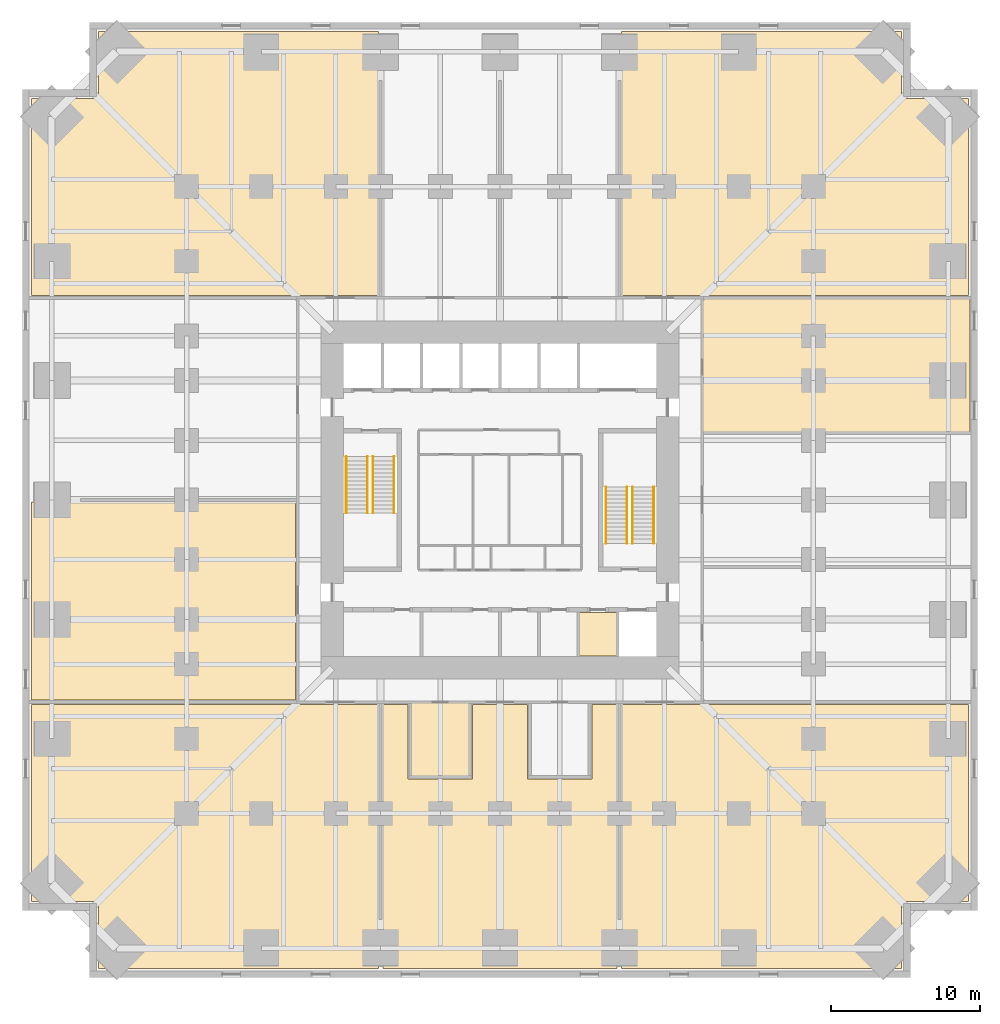
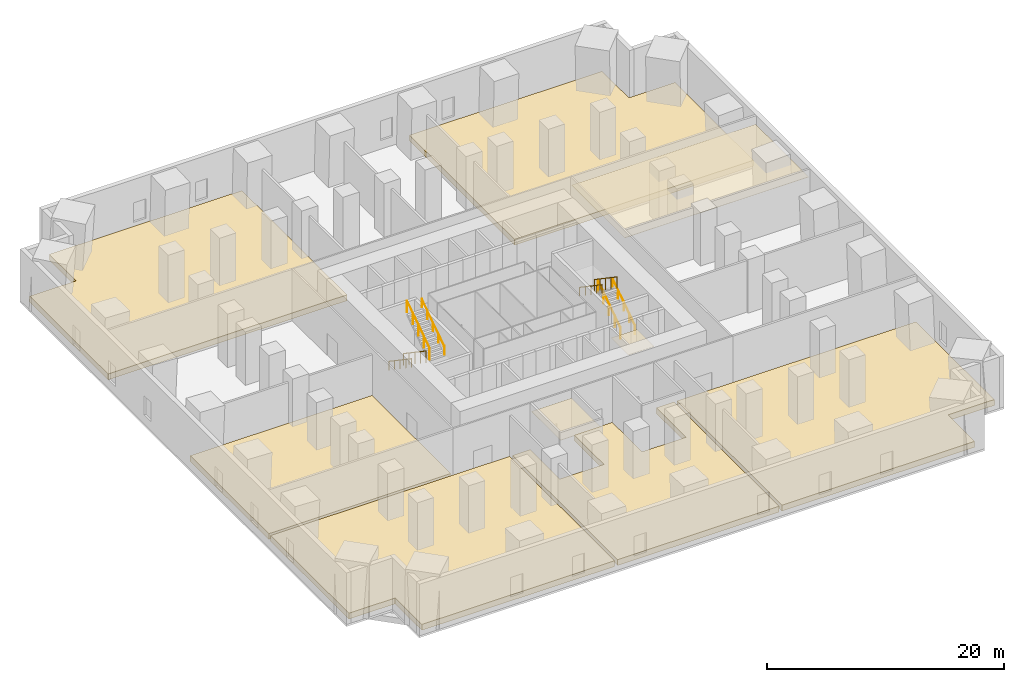
# One storey, part 8 of 8: 9 coverings, 8 railings.
"""IFC4 building model written with IfcOpenShell, lengths in metres."""

from ifc_helpers import new_model, si_unit, direction, frame, origin, origin_2d, place, context, subcontext, project, spatial, polyline, circle, outline, extrude, material, layer, layer_set, type_object, element, save


model = new_model("IFC4")

# Units and contexts
model_context = context("Model", 3, precision=1e-05, world=origin(), true_north=direction((0.0, 1.0)))
body_context = subcontext(model_context, "Body", "Model", "MODEL_VIEW")
ifc_project = project(units=[si_unit("LENGTHUNIT", "METRE"), si_unit("AREAUNIT", "SQUARE_METRE"), si_unit("VOLUMEUNIT", "CUBIC_METRE"), si_unit("PLANEANGLEUNIT", "RADIAN"), si_unit("MASSUNIT", "GRAM", prefix="KILO")], contexts=[model_context])

# Site, building, storey
site_placement = place(None, origin())
site = spatial("IfcSite", under=ifc_project, at=site_placement, CompositionType="ELEMENT")
building_placement = place(site_placement, origin())
building = spatial("IfcBuilding", under=site, at=building_placement, Name="Peilmerk Tower", CompositionType="ELEMENT")
storey_placement = place(building_placement, frame((0.0, 0.0, 21.0)))
storey = spatial("IfcBuildingStorey", under=building, at=storey_placement, Name="L04", CompositionType="ELEMENT", Elevation=21.0)

# Coverings
ifc_material_1 = material(Name="Mineral fibre ceiling tiles", Category="mineral")
ifc_layer_1 = layer(ifc_material_1, 0.02490234375)
ifc_layer_set_1 = layer_set([ifc_layer_1], Name="Mineral fibre ceiling tiles")
covering_type_1 = type_object("IfcCoveringType", Name="CL1 25 suspended ceiling", PredefinedType="CEILING", material=ifc_layer_set_1)
covering_1_placement = place(storey_placement, frame((0.0, 0.0, 4.375)))
element("IfcCovering", 1, at=covering_1_placement, inside=storey, type_object=covering_type_1, Name="Suspended ceiling Operations office", PredefinedType="CEILING", context=body_context, shape_type="SweptSolid", body=[
    extrude(outline(polyline([(-2.050048828125, -18.5), (-2.050048828125, -13.60009765625), (-5.949951171875, -13.60009765625), (-5.949951171875, -18.5), (-2.050048828125, -18.5)])), origin(), (0.0, 0.0, 1.0), 0.02490234375),
])
covering_2_placement = place(storey_placement, frame((0.0, 0.0, 4.375)))
element("IfcCovering", 2, at=covering_2_placement, inside=storey, type_object=covering_type_1, Name="Suspended ceiling LV switchboard room", PredefinedType="CEILING", context=body_context, shape_type="SweptSolid", body=[
    extrude(outline(polyline([(31.5, 4.550048828125), (31.5, 13.5), (13.60009765625, 13.5), (13.60009765625, 4.550048828125), (31.5, 4.550048828125)])), origin(), (0.0, 0.0, 1.0), 0.02490234375),
])
covering_3_placement = place(storey_placement, frame((0.0, 0.0, 4.324951171875)))
element("IfcCovering", 3, at=covering_3_placement, inside=storey, type_object=covering_type_1, Name="Suspended ceiling Pantry", PredefinedType="CEILING", context=body_context, shape_type="SweptSolid", body=[
    extrude(outline(polyline([(7.823974609375, -10.448974609375), (7.823974609375, -7.551025390625), (5.301025390625, -7.551025390625), (5.301025390625, -10.448974609375), (7.823974609375, -10.448974609375)])), origin(), (0.0, 0.0, 1.0), 0.025146484375),
])

# Railings
ifc_material_2 = material(Name="Steel flat bar balustrade", Category="steel")
railing_type_1 = type_object("IfcRailingType", Name="GR1 1200 stair guard", PredefinedType="GUARDRAIL", material=ifc_material_2)
railing_1_placement = place(storey_placement, frame((-8.8798828125, 2.89990234375, 0.183349609375)))
element("IfcRailing", 4, at=railing_1_placement, inside=storey, type_object=railing_type_1, Name="Guard stair 1 L04", PredefinedType="GUARDRAIL", context=body_context, shape_type="SweptSolid", body=[
    extrude(circle(Radius=0.02392578125, at=origin_2d()), frame((0.0, 0.0, 1.17578125), z_axis=(0.0, -0.827293068839, 0.56177057439), x_axis=(1.0, 0.0, 0.0)), (0.0, 0.0, 1.0), 4.56884765625),
    extrude(circle(Radius=0.02099609375, at=origin_2d()), origin(), (0.0, 0.0, 1.0), 1.15185546875),
    extrude(circle(Radius=0.02099609375, at=origin_2d()), frame((0.0, -0.94482421875, 0.6416015625)), (0.0, 0.0, 1.0), 1.15185546875),
    extrude(circle(Radius=0.02099609375, at=origin_2d()), frame((0.0, -1.889892578125, 1.283203125)), (0.0, 0.0, 1.0), 1.15185546875),
    extrude(circle(Radius=0.02099609375, at=origin_2d()), frame((0.0, -2.8349609375, 1.925048828125)), (0.0, 0.0, 1.0), 1.15185546875),
    extrude(circle(Radius=0.02099609375, at=origin_2d()), frame((0.0, -3.77978515625, 2.566650390625)), (0.0, 0.0, 1.0), 1.15185546875),
])
for number, where, name in (
    (5, (-8.52001953125, -0.8798828125, 2.933349609375), "Guard stair 1 L04"),
    (6, (8.8798828125, -2.89990234375, 0.183349609375), "Guard stair 2 L04"),
):
    element("IfcRailing", number, at=place(storey_placement, frame(where)), inside=storey, type_object=railing_type_1, Name=name, PredefinedType="GUARDRAIL", context=body_context, shape_type="SweptSolid", body=[
        extrude(circle(Radius=0.02392578125, at=origin_2d()), frame((0.0, 0.0, 1.17578125), z_axis=(0.0, 0.827293068839, 0.56177057439), x_axis=(-1.0, 0.0, 0.0)), (0.0, 0.0, 1.0), 4.56884765625),
        extrude(circle(Radius=0.02099609375, at=origin_2d()), origin(), (0.0, 0.0, 1.0), 1.15185546875),
        extrude(circle(Radius=0.02099609375, at=origin_2d()), frame((0.0, 0.94482421875, 0.6416015625)), (0.0, 0.0, 1.0), 1.15185546875),
        extrude(circle(Radius=0.02099609375, at=origin_2d()), frame((0.0, 1.889892578125, 1.283203125)), (0.0, 0.0, 1.0), 1.15185546875),
        extrude(circle(Radius=0.02099609375, at=origin_2d()), frame((0.0, 2.8349609375, 1.925048828125)), (0.0, 0.0, 1.0), 1.15185546875),
        extrude(circle(Radius=0.02099609375, at=origin_2d()), frame((0.0, 3.77978515625, 2.566650390625)), (0.0, 0.0, 1.0), 1.15185546875),
    ])
railing_2_placement = place(storey_placement, frame((8.52001953125, 0.8798828125, 2.933349609375)))
element("IfcRailing", 7, at=railing_2_placement, inside=storey, type_object=railing_type_1, Name="Guard stair 2 L04", PredefinedType="GUARDRAIL", context=body_context, shape_type="SweptSolid", body=[
    extrude(circle(Radius=0.02392578125, at=origin_2d()), frame((0.0, 0.0, 1.17578125), z_axis=(0.0, -0.827293068839, 0.56177057439), x_axis=(1.0, 0.0, 0.0)), (0.0, 0.0, 1.0), 4.56884765625),
    extrude(circle(Radius=0.02099609375, at=origin_2d()), origin(), (0.0, 0.0, 1.0), 1.15185546875),
    extrude(circle(Radius=0.02099609375, at=origin_2d()), frame((0.0, -0.94482421875, 0.6416015625)), (0.0, 0.0, 1.0), 1.15185546875),
    extrude(circle(Radius=0.02099609375, at=origin_2d()), frame((0.0, -1.889892578125, 1.283203125)), (0.0, 0.0, 1.0), 1.15185546875),
    extrude(circle(Radius=0.02099609375, at=origin_2d()), frame((0.0, -2.8349609375, 1.925048828125)), (0.0, 0.0, 1.0), 1.15185546875),
    extrude(circle(Radius=0.02099609375, at=origin_2d()), frame((0.0, -3.77978515625, 2.566650390625)), (0.0, 0.0, 1.0), 1.15185546875),
])
ifc_material_3 = material(Name="Stainless steel tube", Category="steel")
railing_type_2 = type_object("IfcRailingType", Name="HR1 900 stair handrail", PredefinedType="HANDRAIL", material=ifc_material_3)
railing_3_placement = place(storey_placement, frame((-10.300048828125, 2.89990234375, 0.183349609375)))
element("IfcRailing", 8, at=railing_3_placement, inside=storey, type_object=railing_type_2, Name="Handrail stair 1 L04", PredefinedType="HANDRAIL", context=body_context, shape_type="SweptSolid", body=[
    extrude(circle(Radius=0.02392578125, at=origin_2d()), frame((0.0, 0.0, 0.8759765625), z_axis=(0.0, -0.827293068839, 0.56177057439), x_axis=(1.0, 0.0, 0.0)), (0.0, 0.0, 1.0), 4.56884765625),
    extrude(circle(Radius=0.02099609375, at=origin_2d()), origin(), (0.0, 0.0, 1.0), 0.851806640625),
    extrude(circle(Radius=0.02099609375, at=origin_2d()), frame((0.0, -0.94482421875, 0.6416015625)), (0.0, 0.0, 1.0), 0.851806640625),
    extrude(circle(Radius=0.02099609375, at=origin_2d()), frame((0.0, -1.889892578125, 1.283203125)), (0.0, 0.0, 1.0), 0.851806640625),
    extrude(circle(Radius=0.02099609375, at=origin_2d()), frame((0.0, -2.8349609375, 1.925048828125)), (0.0, 0.0, 1.0), 0.851806640625),
    extrude(circle(Radius=0.02099609375, at=origin_2d()), frame((0.0, -3.77978515625, 2.566650390625)), (0.0, 0.0, 1.0), 0.851806640625),
])
for number, where, name in (
    (9, (-7.10009765625, -0.8798828125, 2.933349609375), "Handrail stair 1 L04"),
    (10, (10.300048828125, -2.89990234375, 0.183349609375), "Handrail stair 2 L04"),
):
    element("IfcRailing", number, at=place(storey_placement, frame(where)), inside=storey, type_object=railing_type_2, Name=name, PredefinedType="HANDRAIL", context=body_context, shape_type="SweptSolid", body=[
        extrude(circle(Radius=0.02392578125, at=origin_2d()), frame((0.0, 0.0, 0.8759765625), z_axis=(0.0, 0.827293068839, 0.56177057439), x_axis=(-1.0, 0.0, 0.0)), (0.0, 0.0, 1.0), 4.56884765625),
        extrude(circle(Radius=0.02099609375, at=origin_2d()), origin(), (0.0, 0.0, 1.0), 0.851806640625),
        extrude(circle(Radius=0.02099609375, at=origin_2d()), frame((0.0, 0.94482421875, 0.6416015625)), (0.0, 0.0, 1.0), 0.851806640625),
        extrude(circle(Radius=0.02099609375, at=origin_2d()), frame((0.0, 1.889892578125, 1.283203125)), (0.0, 0.0, 1.0), 0.851806640625),
        extrude(circle(Radius=0.02099609375, at=origin_2d()), frame((0.0, 2.8349609375, 1.925048828125)), (0.0, 0.0, 1.0), 0.851806640625),
        extrude(circle(Radius=0.02099609375, at=origin_2d()), frame((0.0, 3.77978515625, 2.566650390625)), (0.0, 0.0, 1.0), 0.851806640625),
    ])
railing_4_placement = place(storey_placement, frame((7.10009765625, 0.8798828125, 2.933349609375)))
element("IfcRailing", 11, at=railing_4_placement, inside=storey, type_object=railing_type_2, Name="Handrail stair 2 L04", PredefinedType="HANDRAIL", context=body_context, shape_type="SweptSolid", body=[
    extrude(circle(Radius=0.02392578125, at=origin_2d()), frame((0.0, 0.0, 0.8759765625), z_axis=(0.0, -0.827293068839, 0.56177057439), x_axis=(1.0, 0.0, 0.0)), (0.0, 0.0, 1.0), 4.56884765625),
    extrude(circle(Radius=0.02099609375, at=origin_2d()), origin(), (0.0, 0.0, 1.0), 0.851806640625),
    extrude(circle(Radius=0.02099609375, at=origin_2d()), frame((0.0, -0.94482421875, 0.6416015625)), (0.0, 0.0, 1.0), 0.851806640625),
    extrude(circle(Radius=0.02099609375, at=origin_2d()), frame((0.0, -1.889892578125, 1.283203125)), (0.0, 0.0, 1.0), 0.851806640625),
    extrude(circle(Radius=0.02099609375, at=origin_2d()), frame((0.0, -2.8349609375, 1.925048828125)), (0.0, 0.0, 1.0), 0.851806640625),
    extrude(circle(Radius=0.02099609375, at=origin_2d()), frame((0.0, -3.77978515625, 2.566650390625)), (0.0, 0.0, 1.0), 0.851806640625),
])

# Coverings
ifc_material_4 = material(Name="Steel raised access floor panels on pedestals", Category="steel")
ifc_layer_2 = layer(ifc_material_4, 0.60009765625)
ifc_layer_set_2 = layer_set([ifc_layer_2], Name="Steel raised access floor panels on pedestals")
covering_type_2 = type_object("IfcCoveringType", Name="RF1 600 raised access floor", PredefinedType="FLOORING", material=ifc_layer_set_2)
covering_4_placement = place(storey_placement, origin())
element("IfcCovering", 12, at=covering_4_placement, inside=storey, type_object=covering_type_2, Name="Raised access floor Computer room A1", PredefinedType="FLOORING", context=body_context, shape_type="SweptSolid", body=[
    extrude(outline(polyline([(-31.39990234375, 26.89990234375), (-31.39990234375, 13.699951171875), (-8.14990234375, 13.699951171875), (-8.14990234375, 31.39990234375), (-26.89990234375, 31.39990234375), (-26.89990234375, 26.89990234375), (-31.39990234375, 26.89990234375)])), origin(), (0.0, 0.0, 1.0), 0.60009765625),
])
covering_5_placement = place(storey_placement, origin())
element("IfcCovering", 13, at=covering_5_placement, inside=storey, type_object=covering_type_2, Name="Raised access floor Computer room A2", PredefinedType="FLOORING", context=body_context, shape_type="SweptSolid", body=[
    extrude(outline(polyline([(26.89990234375, 31.39990234375), (8.14990234375, 31.39990234375), (8.14990234375, 13.699951171875), (31.39990234375, 13.699951171875), (31.39990234375, 26.89990234375), (26.89990234375, 26.89990234375), (26.89990234375, 31.39990234375)])), origin(), (0.0, 0.0, 1.0), 0.60009765625),
])
covering_6_placement = place(storey_placement, origin())
element("IfcCovering", 14, at=covering_6_placement, inside=storey, type_object=covering_type_2, Name="Raised access floor Computer room B1", PredefinedType="FLOORING", context=body_context, shape_type="SweptSolid", body=[
    extrude(outline(polyline([(-26.89990234375, -31.39990234375), (-8.14990234375, -31.39990234375), (-8.14990234375, -13.699951171875), (-31.39990234375, -13.699951171875), (-31.39990234375, -26.89990234375), (-26.89990234375, -26.89990234375), (-26.89990234375, -31.39990234375)])), origin(), (0.0, 0.0, 1.0), 0.60009765625),
])
covering_7_placement = place(storey_placement, origin())
element("IfcCovering", 15, at=covering_7_placement, inside=storey, type_object=covering_type_2, Name="Raised access floor Network room", PredefinedType="FLOORING", context=body_context, shape_type="SweptSolid", body=[
    extrude(outline(polyline([(-7.85009765625, -13.699951171875), (-7.85009765625, -31.39990234375), (7.85009765625, -31.39990234375), (7.85009765625, -13.699951171875), (6.14990234375, -13.699951171875), (6.14990234375, -18.699951171875), (1.85009765625, -18.699951171875), (1.85009765625, -13.699951171875), (-1.85009765625, -13.699951171875), (-1.85009765625, -18.699951171875), (-6.14990234375, -18.699951171875), (-6.14990234375, -13.699951171875), (-7.85009765625, -13.699951171875)])), origin(), (0.0, 0.0, 1.0), 0.60009765625),
])
covering_8_placement = place(storey_placement, origin())
element("IfcCovering", 16, at=covering_8_placement, inside=storey, type_object=covering_type_2, Name="Raised access floor Computer room B2", PredefinedType="FLOORING", context=body_context, shape_type="SweptSolid", body=[
    extrude(outline(polyline([(8.14990234375, -31.39990234375), (26.89990234375, -31.39990234375), (26.89990234375, -26.89990234375), (31.39990234375, -26.89990234375), (31.39990234375, -13.699951171875), (8.14990234375, -13.699951171875), (8.14990234375, -31.39990234375)])), origin(), (0.0, 0.0, 1.0), 0.60009765625),
])
covering_9_placement = place(storey_placement, origin())
element("IfcCovering", 17, at=covering_9_placement, inside=storey, type_object=covering_type_2, Name="Raised access floor UPS room", PredefinedType="FLOORING", context=body_context, shape_type="SweptSolid", body=[
    extrude(outline(polyline([(-31.39990234375, -0.14990234375), (-31.39990234375, -13.39990234375), (-13.699951171875, -13.39990234375), (-13.699951171875, -0.14990234375), (-31.39990234375, -0.14990234375)])), origin(), (0.0, 0.0, 1.0), 0.60009765625),
])

save(model, "model.ifc")
